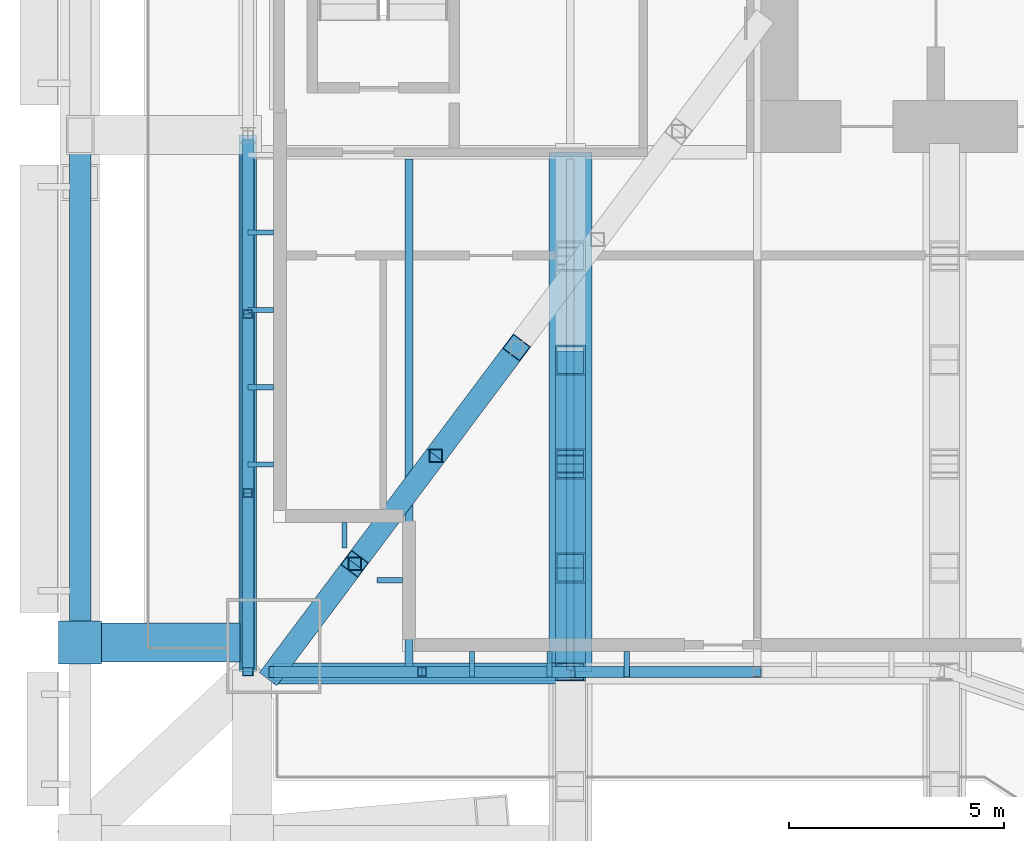
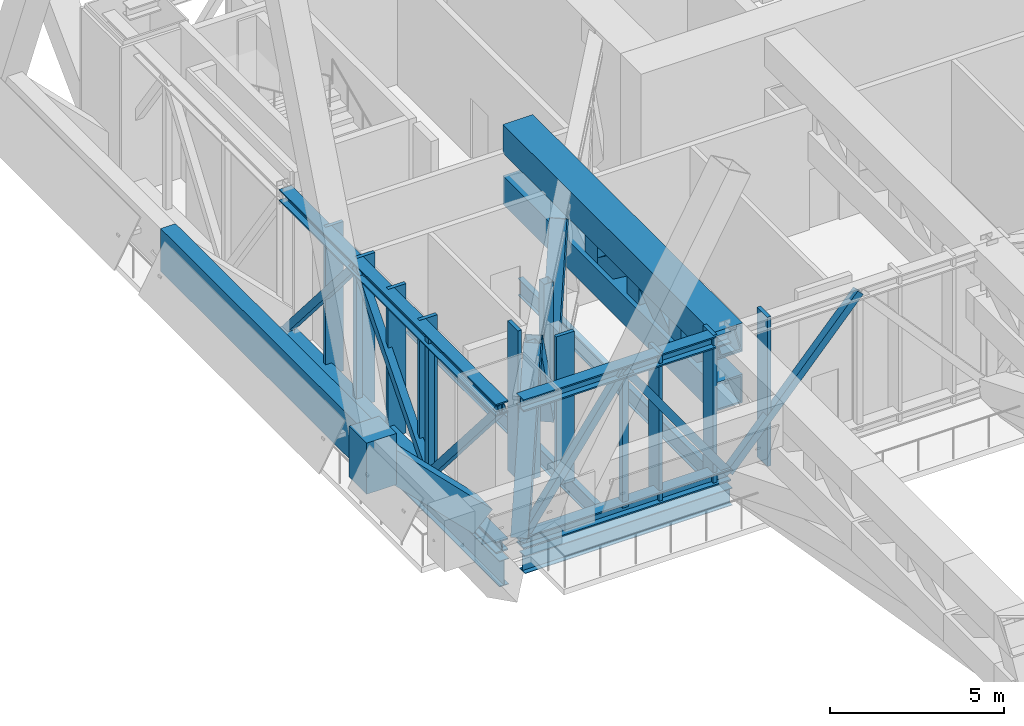
# One storey, part 7 of 30: 37 members, 5 beams, 1 element without a shape of its own.
"""IFC4 building model written with IfcOpenShell, lengths in metres."""

from ifc_helpers import new_model, si_unit, direction, frame, origin, origin_2d, place, context, subcontext, project, spatial, rectangle, hollow_rectangle, i_section, extrude, material, material_profile, profile_set, type_object, element, aggregate, save


model = new_model("IFC4")

# Units and contexts
model_context = context("Model", 3, precision=1e-05, world=origin(), true_north=direction((0.0, 1.0)))
body_context = subcontext(model_context, "Body", "Model", "MODEL_VIEW")
ifc_project = project(units=[si_unit("LENGTHUNIT", "METRE"), si_unit("AREAUNIT", "SQUARE_METRE"), si_unit("VOLUMEUNIT", "CUBIC_METRE"), si_unit("PLANEANGLEUNIT", "RADIAN"), si_unit("MASSUNIT", "GRAM", prefix="KILO")], contexts=[model_context])

# Site, building, storey
site_placement = place(None, origin())
site = spatial("IfcSite", under=ifc_project, at=site_placement, CompositionType="ELEMENT")
building_placement = place(site_placement, origin())
building = spatial("IfcBuilding", under=site, at=building_placement, Name="Bicima Exchange Tower", CompositionType="ELEMENT")
storey_placement = place(building_placement, frame((0.0, 0.0, 287.60009765625)))
storey = spatial("IfcBuildingStorey", under=building, at=storey_placement, Name="L65", CompositionType="ELEMENT", Elevation=287.60009765625)

# Curtain wall, members
ifc_material_1 = material(Name="Anodised bronze aluminium", Category="aluminium")
curtain_wall_type = type_object("IfcCurtainWallType", Name="Band blade screen", PredefinedType="NOTDEFINED", material=ifc_material_1)
curtain_wall_placement = place(storey_placement, origin())
curtain_wall = element("IfcCurtainWall", 1, at=curtain_wall_placement, inside=storey, type_object=curtain_wall_type, Name="Band blade screen L65", PredefinedType="NOTDEFINED")
ifc_material_profile_1 = material_profile(ifc_material_1, rectangle(XDim=0.60009765625, YDim=0.1201171875, at=origin_2d()))
ifc_profile_set_1 = profile_set([ifc_material_profile_1], Name="Anodised bronze aluminium")
member_type_1 = type_object("IfcMemberType", Name="Band blade fin 600 x 120", PredefinedType="USERDEFINED", material=ifc_profile_set_1)
member_1_placement = place(storey_placement, frame((-33.300048828125, -14.864013671875, 0.0), z_axis=(0.0, 0.0, 1.0), x_axis=(1.0, 0.0, 0.0)))
member_1 = element("IfcMember", 2, at=member_1_placement, type_object=member_type_1, Name="Band blade fin 11", ObjectType="FIN", PredefinedType="USERDEFINED", context=body_context, shape_type="SweptSolid", body=[
    extrude(rectangle(XDim=0.60009765625, YDim=0.1201171875, at=origin_2d()), origin(), (0.0, 0.0, 1.0), 5.25),
])
member_2_placement = place(storey_placement, frame((-33.300048828125, -16.6640625, 0.0), z_axis=(0.0, 0.0, 1.0), x_axis=(1.0, 0.0, 0.0)))
member_2 = element("IfcMember", 3, at=member_2_placement, type_object=member_type_1, Name="Band blade fin 12", ObjectType="FIN", PredefinedType="USERDEFINED", context=body_context, shape_type="SweptSolid", body=[
    extrude(rectangle(XDim=0.60009765625, YDim=0.1201171875, at=origin_2d()), origin(), (0.0, 0.0, 1.0), 5.25),
])
member_3_placement = place(storey_placement, frame((-33.300048828125, -18.464111328125, 0.0), z_axis=(0.0, 0.0, 1.0), x_axis=(1.0, 0.0, 0.0)))
member_3 = element("IfcMember", 4, at=member_3_placement, type_object=member_type_1, Name="Band blade fin 13", ObjectType="FIN", PredefinedType="USERDEFINED", context=body_context, shape_type="SweptSolid", body=[
    extrude(rectangle(XDim=0.60009765625, YDim=0.1201171875, at=origin_2d()), origin(), (0.0, 0.0, 1.0), 5.25),
])
member_4_placement = place(storey_placement, frame((-33.300048828125, -20.26416015625, 0.0), z_axis=(0.0, 0.0, 1.0), x_axis=(1.0, 0.0, 0.0)))
member_4 = element("IfcMember", 5, at=member_4_placement, type_object=member_type_1, Name="Band blade fin 14", ObjectType="FIN", PredefinedType="USERDEFINED", context=body_context, shape_type="SweptSolid", body=[
    extrude(rectangle(XDim=0.60009765625, YDim=0.1201171875, at=origin_2d()), origin(), (0.0, 0.0, 1.0), 5.25),
])
member_5_placement = place(storey_placement, frame((-31.35009765625, -21.904052734375, 0.0), z_axis=(0.0, 0.0, 1.0), x_axis=(0.0, 1.0, 0.0)))
member_5 = element("IfcMember", 6, at=member_5_placement, type_object=member_type_1, Name="Band blade fin 15", ObjectType="FIN", PredefinedType="USERDEFINED", context=body_context, shape_type="SweptSolid", body=[
    extrude(rectangle(XDim=0.60009765625, YDim=0.1201171875, at=origin_2d()), origin(), (0.0, 0.0, 1.0), 5.25),
])
member_6_placement = place(storey_placement, frame((-30.300048828125, -22.9541015625, 0.0), z_axis=(0.0, 0.0, 1.0), x_axis=(1.0, 0.0, 0.0)))
member_6 = element("IfcMember", 7, at=member_6_placement, type_object=member_type_1, Name="Band blade fin 16", ObjectType="FIN", PredefinedType="USERDEFINED", context=body_context, shape_type="SweptSolid", body=[
    extrude(rectangle(XDim=0.60009765625, YDim=0.1201171875, at=origin_2d()), origin(), (0.0, 0.0, 1.0), 5.25),
])
member_7_placement = place(storey_placement, frame((-28.38720703125, -24.904052734375, 0.0), z_axis=(0.0, 0.0, 1.0), x_axis=(0.0, 1.0, 0.0)))
member_7 = element("IfcMember", 8, at=member_7_placement, type_object=member_type_1, Name="Band blade fin 17", ObjectType="FIN", PredefinedType="USERDEFINED", context=body_context, shape_type="SweptSolid", body=[
    extrude(rectangle(XDim=0.60009765625, YDim=0.1201171875, at=origin_2d()), origin(), (0.0, 0.0, 1.0), 5.25),
])
member_8_placement = place(storey_placement, frame((-26.587158203125, -24.904052734375, 0.0), z_axis=(0.0, 0.0, 1.0), x_axis=(0.0, 1.0, 0.0)))
member_8 = element("IfcMember", 9, at=member_8_placement, type_object=member_type_1, Name="Band blade fin 18", ObjectType="FIN", PredefinedType="USERDEFINED", context=body_context, shape_type="SweptSolid", body=[
    extrude(rectangle(XDim=0.60009765625, YDim=0.1201171875, at=origin_2d()), origin(), (0.0, 0.0, 1.0), 5.25),
])
member_9_placement = place(storey_placement, frame((-24.787109375, -24.904052734375, 0.0), z_axis=(0.0, 0.0, 1.0), x_axis=(0.0, 1.0, 0.0)))
member_9 = element("IfcMember", 10, at=member_9_placement, type_object=member_type_1, Name="Band blade fin 19", ObjectType="FIN", PredefinedType="USERDEFINED", context=body_context, shape_type="SweptSolid", body=[
    extrude(rectangle(XDim=0.60009765625, YDim=0.1201171875, at=origin_2d()), origin(), (0.0, 0.0, 1.0), 5.25),
])
aggregate(curtain_wall, [member_1, member_2, member_3, member_4, member_5, member_6, member_7, member_8, member_9])

# Beam
ifc_material_2 = material(Name="Steel ASTM A572 Gr 50", Category="steel")
ifc_material_profile_2 = material_profile(ifc_material_2, hollow_rectangle(XDim=0.5, YDim=1.5, WallThickness=0.050048828125, at=origin_2d()))
ifc_profile_set_2 = profile_set([ifc_material_profile_2], Name="Steel ASTM A572 Gr 50")
beam_type_1 = type_object("IfcBeamType", Name="Belt girder BOX 500x1500x50", PredefinedType="BEAM", material=ifc_profile_set_2)
beam_1_placement = place(storey_placement, frame((-37.5, -12.60009765625, 4.5), z_axis=(0.0, -1.0, 0.0), x_axis=(1.0, 0.0, 0.0)))
element("IfcBeam", 11, at=beam_1_placement, inside=storey, type_object=beam_type_1, Name="Belt girder", PredefinedType="BEAM", context=body_context, shape_type="SweptSolid", body=[
    extrude(hollow_rectangle(XDim=0.5, YDim=1.5, WallThickness=0.050048828125, at=origin_2d()), origin(), (0.0, 0.0, 1.0), 11.800537109375),
])

# Members
ifc_material_3 = material(Name="Steel ASTM A992 Gr 50", Category="steel")
ifc_material_profile_3 = material_profile(ifc_material_3, i_section(OverallWidth=0.406494140625, OverallDepth=0.41650390625, WebThickness=0.030029296875, FlangeThickness=0.048095703125, at=origin_2d()))
ifc_profile_set_3 = profile_set([ifc_material_profile_3], Name="Steel ASTM A992 Gr 50")
member_type_2 = type_object("IfcMemberType", Name="Belt truss chord W14x257", PredefinedType="CHORD", material=ifc_profile_set_3)
for number, where, z_axis, x_axis, name in (
    (12, (-33.0, -25.08203125, 5.04150390625), (1.0, 0.0, 0.0), (0.0, 1.0, 0.0), "Top chord"),
    (13, (-33.0, -25.08203125, 0.208251953125), (1.0, 0.0, 0.0), (0.0, 1.0, 0.0), "Bottom chord"),
):
    element("IfcMember", number, at=place(storey_placement, frame(where, z_axis=z_axis, x_axis=x_axis)), inside=storey, type_object=member_type_2, Name=name, PredefinedType="CHORD", context=body_context, shape_type="SweptSolid", body=[
        extrude(i_section(OverallWidth=0.406494140625, OverallDepth=0.41650390625, WebThickness=0.030029296875, FlangeThickness=0.048095703125, at=origin_2d()), origin(), (0.0, 0.0, 1.0), 6.89990234375),
    ])
for number, where, z_axis, x_axis, name in (
    (14, (-33.60009765625, -12.60009765625, 5.04150390625), (0.0, -1.0, 0.0), (1.0, 0.0, 0.0), "Top chord"),
    (15, (-33.60009765625, -12.60009765625, 0.208251953125), (0.0, -1.0, 0.0), (1.0, 0.0, 0.0), "Bottom chord"),
):
    element("IfcMember", number, at=place(storey_placement, frame(where, z_axis=z_axis, x_axis=x_axis)), inside=storey, type_object=member_type_2, Name=name, PredefinedType="CHORD", context=body_context, shape_type="SweptSolid", body=[
        extrude(i_section(OverallWidth=0.406494140625, OverallDepth=0.41650390625, WebThickness=0.030029296875, FlangeThickness=0.048095703125, at=origin_2d()), origin(), (0.0, 0.0, 1.0), 12.48193359375),
    ])
ifc_material_profile_4 = material_profile(ifc_material_2, hollow_rectangle(XDim=0.25390625, YDim=0.25390625, WallThickness=0.01171875, at=origin_2d()))
ifc_profile_set_4 = profile_set([ifc_material_profile_4], Name="Steel ASTM A572 Gr 50")
member_type_3 = type_object("IfcMemberType", Name="Belt truss diagonal HSS10x10x1/2", PredefinedType="STRUT", material=ifc_profile_set_4)
for number, where, z_axis, x_axis, name in (
    (16, (-33.0, -25.08203125, 0.208251953125), (0.580973703743, 0.0, 0.813922327719), (0.0, 1.0, 0.0), "Truss diagonal"),
    (17, (-29.550048828125, -25.08203125, 5.04150390625), (0.580973703743, 0.0, -0.813922327719), (0.0, 1.0, 0.0), "Truss diagonal"),
):
    element("IfcMember", number, at=place(storey_placement, frame(where, z_axis=z_axis, x_axis=x_axis)), inside=storey, type_object=member_type_3, Name=name, PredefinedType="STRUT", context=body_context, shape_type="SweptSolid", body=[
        extrude(hollow_rectangle(XDim=0.25390625, YDim=0.25390625, WallThickness=0.01171875, at=origin_2d()), origin(), (0.0, 0.0, 1.0), 5.938232421875),
    ])
member_10_placement = place(storey_placement, frame((-26.10009765625, -25.08203125, 0.208251953125), z_axis=(0.668979251714, 0.0, 0.743281077908), x_axis=(0.0, 1.0, 0.0)))
element("IfcMember", 18, at=member_10_placement, inside=storey, type_object=member_type_3, Name="Truss diagonal", PredefinedType="STRUT", context=body_context, shape_type="SweptSolid", body=[
    extrude(hollow_rectangle(XDim=0.25390625, YDim=0.25390625, WallThickness=0.01171875, at=origin_2d()), origin(), (0.0, 0.0, 1.0), 6.502685546875),
])
for number, where, z_axis, x_axis, name in (
    (19, (-33.60009765625, -12.60009765625, 0.208251953125), (0.0, -0.652404057498, 0.757871325331), (1.0, 0.0, 0.0), "Truss diagonal"),
    (20, (-33.60009765625, -16.7607421875, 5.04150390625), (0.0, -0.652404057498, -0.757871325331), (1.0, 0.0, 0.0), "Truss diagonal"),
    (21, (-33.60009765625, -20.92138671875, 0.208251953125), (0.0, -0.652404057498, 0.757871325331), (1.0, 0.0, 0.0), "Truss diagonal"),
):
    element("IfcMember", number, at=place(storey_placement, frame(where, z_axis=z_axis, x_axis=x_axis)), inside=storey, type_object=member_type_3, Name=name, PredefinedType="STRUT", context=body_context, shape_type="SweptSolid", body=[
        extrude(hollow_rectangle(XDim=0.25390625, YDim=0.25390625, WallThickness=0.01171875, at=origin_2d()), origin(), (0.0, 0.0, 1.0), 6.37744140625),
    ])
ifc_material_profile_5 = material_profile(ifc_material_2, hollow_rectangle(XDim=0.203125, YDim=0.203125, WallThickness=0.01171875, at=origin_2d()))
ifc_profile_set_5 = profile_set([ifc_material_profile_5], Name="Steel ASTM A572 Gr 50")
member_type_4 = type_object("IfcMemberType", Name="Belt truss post HSS8x8x1/2", PredefinedType="POST", material=ifc_profile_set_5)
for number, where, z_axis, x_axis, name in (
    (22, (-29.550048828125, -25.08203125, 0.208251953125), (0.0, 0.0, 1.0), (1.0, 0.0, 0.0), "Truss post"),
    (23, (-33.60009765625, -16.7607421875, 0.208251953125), (0.0, 0.0, 1.0), (1.0, 0.0, 0.0), "Truss post"),
    (24, (-33.60009765625, -20.92138671875, 0.208251953125), (0.0, 0.0, 1.0), (1.0, 0.0, 0.0), "Truss post"),
):
    element("IfcMember", number, at=place(storey_placement, frame(where, z_axis=z_axis, x_axis=x_axis)), inside=storey, type_object=member_type_4, Name=name, PredefinedType="POST", context=body_context, shape_type="SweptSolid", body=[
        extrude(hollow_rectangle(XDim=0.203125, YDim=0.203125, WallThickness=0.01171875, at=origin_2d()), origin(), (0.0, 0.0, 1.0), 4.833251953125),
    ])

# Beam
ifc_material_profile_6 = material_profile(ifc_material_3, i_section(OverallWidth=0.3046875, OverallDepth=0.911865234375, WebThickness=0.015869140625, FlangeThickness=0.02392578125, at=origin_2d()))
ifc_profile_set_6 = profile_set([ifc_material_profile_6], Name="Steel ASTM A992 Gr 50")
beam_type_2 = type_object("IfcBeamType", Name="End girder W36x150", PredefinedType="BEAM", material=ifc_profile_set_6)
beam_2_placement = place(storey_placement, frame((-33.60009765625, -12.60009765625, -0.656005859375), z_axis=(0.0, -1.0, 0.0), x_axis=(1.0, 0.0, 0.0)))
element("IfcBeam", 25, at=beam_2_placement, inside=storey, type_object=beam_type_2, Name="End girder", PredefinedType="BEAM", context=body_context, shape_type="SweptSolid", body=[
    extrude(i_section(OverallWidth=0.3046875, OverallDepth=0.911865234375, WebThickness=0.015869140625, FlangeThickness=0.02392578125, at=origin_2d()), origin(), (0.0, 0.0, 1.0), 12.60400390625),
])

# Members
ifc_material_4 = material(Name="Cast steel ASTM A216 Gr WCB", Category="steel")
ifc_material_profile_7 = material_profile(ifc_material_4, rectangle(XDim=1.0, YDim=1.0, at=origin_2d()))
ifc_profile_set_7 = profile_set([ifc_material_profile_7], Name="Cast steel ASTM A216 Gr WCB")
member_type_5 = type_object("IfcMemberType", Name="Exo node block", PredefinedType="POST", material=ifc_profile_set_7)
member_11_placement = place(storey_placement, frame((-37.5, -24.400634765625, 3.449951171875), z_axis=(0.0, 0.0, 1.0), x_axis=(1.0, 0.0, 0.0)))
element("IfcMember", 26, at=member_11_placement, inside=storey, type_object=member_type_5, Name="Exo node block", PredefinedType="POST", context=body_context, shape_type="SweptSolid", body=[
    extrude(rectangle(XDim=1.0, YDim=1.0, at=origin_2d()), origin(), (0.0, 0.0, 1.0), 1.800048828125),
])
ifc_material_profile_8 = material_profile(ifc_material_2, hollow_rectangle(XDim=0.89990234375, YDim=0.89990234375, WallThickness=0.050048828125, at=origin_2d()))
ifc_profile_set_8 = profile_set([ifc_material_profile_8], Name="Steel ASTM A572 Gr 50")
member_type_6 = type_object("IfcMemberType", Name="Exo outrigger stub BOX 900x900x50", PredefinedType="STRUT", material=ifc_profile_set_8)
member_12_placement = place(storey_placement, frame((-34.10009765625, -24.400634765625, 1.099853515625), z_axis=(-0.707081393635, 0.0, 0.707132167827), x_axis=(0.0, -1.0, 0.0)))
element("IfcMember", 27, at=member_12_placement, inside=storey, type_object=member_type_6, Name="Exo outrigger stub", PredefinedType="STRUT", context=body_context, shape_type="SweptSolid", body=[
    extrude(hollow_rectangle(XDim=0.89990234375, YDim=0.89990234375, WallThickness=0.050048828125, at=origin_2d()), origin(), (0.0, 0.0, 1.0), 4.808349609375),
])

# Beams
ifc_material_profile_9 = material_profile(ifc_material_3, i_section(OverallWidth=0.177978515625, OverallDepth=0.599365234375, WebThickness=0.010009765625, FlangeThickness=0.012939453125, at=origin_2d()))
ifc_profile_set_9 = profile_set([ifc_material_profile_9], Name="Steel ASTM A992 Gr 50")
beam_type_3 = type_object("IfcBeamType", Name="Floor beam W24x55", PredefinedType="JOIST", material=ifc_profile_set_9)
for number, where, z_axis, x_axis, name in (
    (28, (-29.85009765625, -13.15234375, -0.499755859375), (0.0, -1.0, 0.0), (1.0, 0.0, 0.0), "Floor beam"),
    (29, (-26.10009765625, -13.15234375, -0.499755859375), (0.0, -1.0, 0.0), (1.0, 0.0, 0.0), "Floor beam"),
):
    element("IfcBeam", number, at=place(storey_placement, frame(where, z_axis=z_axis, x_axis=x_axis)), inside=storey, type_object=beam_type_3, Name=name, PredefinedType="JOIST", context=body_context, shape_type="SweptSolid", body=[
        extrude(i_section(OverallWidth=0.177978515625, OverallDepth=0.599365234375, WebThickness=0.010009765625, FlangeThickness=0.012939453125, at=origin_2d()), origin(), (0.0, 0.0, 1.0), 11.88916015625),
    ])
ifc_material_profile_10 = material_profile(ifc_material_3, i_section(OverallWidth=0.3251953125, OverallDepth=0.612060546875, WebThickness=0.0126953125, FlangeThickness=0.01904296875, at=origin_2d()))
ifc_profile_set_10 = profile_set([ifc_material_profile_10], Name="Steel ASTM A992 Gr 50")
beam_type_4 = type_object("IfcBeamType", Name="Front girder W24x104", PredefinedType="BEAM", material=ifc_profile_set_10)
beam_3_placement = place(storey_placement, frame((-33.0, -25.2041015625, -0.506103515625), z_axis=(1.0, 0.0, 0.0), x_axis=(0.0, 1.0, 0.0)))
element("IfcBeam", 30, at=beam_3_placement, inside=storey, type_object=beam_type_4, Name="Front girder", PredefinedType="BEAM", context=body_context, shape_type="SweptSolid", body=[
    extrude(i_section(OverallWidth=0.3251953125, OverallDepth=0.612060546875, WebThickness=0.0126953125, FlangeThickness=0.01904296875, at=origin_2d()), origin(), (0.0, 0.0, 1.0), 6.89990234375),
])

# Members
ifc_material_profile_11 = material_profile(ifc_material_2, hollow_rectangle(XDim=0.508056640625, YDim=0.508056640625, WallThickness=0.017822265625, at=origin_2d()))
ifc_profile_set_11 = profile_set([ifc_material_profile_11], Name="Steel ASTM A572 Gr 50")
member_type_7 = type_object("IfcMemberType", Name="Outrigger truss diagonal HSS20x20x3/4", PredefinedType="STRUT", material=ifc_profile_set_11)
for number, where, z_axis, x_axis, name in (
    (31, (-27.35009765625, -17.541015625, 4.96533203125), (-0.334093656655, -0.445920182644, -0.830383417039), (0.800298380594, -0.599601952982, 0.0), "Truss diagonal"),
    (32, (-29.2333984375, -20.0546875, 0.284423828125), (-0.334093656655, -0.445920182644, 0.830383417039), (0.800298380594, -0.599601952982, 0.0), "Truss diagonal"),
    (33, (-31.11669921875, -22.568359375, 4.96533203125), (-0.334093656655, -0.445920182644, -0.830383417039), (0.800298380594, -0.599601952982, 0.0), "Truss diagonal"),
):
    element("IfcMember", number, at=place(storey_placement, frame(where, z_axis=z_axis, x_axis=x_axis)), inside=storey, type_object=member_type_7, Name=name, PredefinedType="STRUT", context=body_context, shape_type="SweptSolid", body=[
        extrude(hollow_rectangle(XDim=0.508056640625, YDim=0.508056640625, WallThickness=0.017822265625, at=origin_2d()), origin(), (0.0, 0.0, 1.0), 5.636962890625),
    ])
ifc_material_profile_12 = material_profile(ifc_material_2, hollow_rectangle(XDim=0.3046875, YDim=0.3046875, WallThickness=0.01171875, at=origin_2d()))
ifc_profile_set_12 = profile_set([ifc_material_profile_12], Name="Steel ASTM A572 Gr 50")
member_type_8 = type_object("IfcMemberType", Name="Outrigger truss post HSS12x12x1/2", PredefinedType="POST", material=ifc_profile_set_12)
for number, where, z_axis, x_axis, name in (
    (34, (-29.2333984375, -20.0546875, 0.284423828125), (0.0, 0.0, 1.0), (1.0, 0.0, 0.0), "Truss post"),
    (35, (-31.11669921875, -22.568359375, 0.284423828125), (0.0, 0.0, 1.0), (1.0, 0.0, 0.0), "Truss post"),
):
    element("IfcMember", number, at=place(storey_placement, frame(where, z_axis=z_axis, x_axis=x_axis)), inside=storey, type_object=member_type_8, Name=name, PredefinedType="POST", context=body_context, shape_type="SweptSolid", body=[
        extrude(hollow_rectangle(XDim=0.3046875, YDim=0.3046875, WallThickness=0.01171875, at=origin_2d()), origin(), (0.0, 0.0, 1.0), 4.680908203125),
    ])
ifc_material_profile_13 = material_profile(ifc_material_2, hollow_rectangle(XDim=1.0, YDim=1.0, WallThickness=0.06005859375, at=origin_2d()))
ifc_profile_set_13 = profile_set([ifc_material_profile_13], Name="Steel ASTM A572 Gr 50")
member_type_9 = type_object("IfcMemberType", Name="Pool cantilever truss chord BOX 1000x1000x60", PredefinedType="CHORD", material=ifc_profile_set_13)
for number, where, z_axis, x_axis, name in (
    (36, (-26.10009765625, -13.0, 4.75), (0.0, -1.0, 0.0), (1.0, 0.0, 0.0), "Top chord"),
    (37, (-26.10009765625, -13.0, 2.949951171875), (0.0, -1.0, 0.0), (1.0, 0.0, 0.0), "Bottom chord"),
):
    element("IfcMember", number, at=place(storey_placement, frame(where, z_axis=z_axis, x_axis=x_axis)), inside=storey, type_object=member_type_9, Name=name, PredefinedType="CHORD", context=body_context, shape_type="SweptSolid", body=[
        extrude(hollow_rectangle(XDim=1.0, YDim=1.0, WallThickness=0.06005859375, at=origin_2d()), origin(), (0.0, 0.0, 1.0), 12.08203125),
    ])
ifc_material_profile_14 = material_profile(ifc_material_2, hollow_rectangle(XDim=0.699951171875, YDim=0.699951171875, WallThickness=0.0400390625, at=origin_2d()))
ifc_profile_set_14 = profile_set([ifc_material_profile_14], Name="Steel ASTM A572 Gr 50")
member_type_10 = type_object("IfcMemberType", Name="Pool cantilever truss diagonal BOX 700x700x40", PredefinedType="STRUT", material=ifc_profile_set_14)
member_13_placement = place(storey_placement, frame((-26.10009765625, -17.832763671875, 2.949951171875), z_axis=(0.0, -0.80195969711, 0.597378141725), x_axis=(1.0, 0.0, 0.0)))
element("IfcMember", 38, at=member_13_placement, inside=storey, type_object=member_type_10, Name="Truss diagonal", PredefinedType="STRUT", context=body_context, shape_type="SweptSolid", body=[
    extrude(hollow_rectangle(XDim=0.699951171875, YDim=0.699951171875, WallThickness=0.0400390625, at=origin_2d()), origin(), (0.0, 0.0, 1.0), 3.01318359375),
])
member_14_placement = place(storey_placement, frame((-26.10009765625, -20.249267578125, 4.75), z_axis=(0.0, -0.801930780587, -0.597416959206), x_axis=(1.0, 0.0, 0.0)))
element("IfcMember", 39, at=member_14_placement, inside=storey, type_object=member_type_10, Name="Truss diagonal", PredefinedType="STRUT", context=body_context, shape_type="SweptSolid", body=[
    extrude(hollow_rectangle(XDim=0.699951171875, YDim=0.699951171875, WallThickness=0.0400390625, at=origin_2d()), origin(), (0.0, 0.0, 1.0), 3.012939453125),
])
member_15_placement = place(storey_placement, frame((-26.10009765625, -22.66552734375, 2.949951171875), z_axis=(0.0, -0.80195969711, 0.597378141725), x_axis=(1.0, 0.0, 0.0)))
element("IfcMember", 40, at=member_15_placement, inside=storey, type_object=member_type_10, Name="Truss diagonal", PredefinedType="STRUT", context=body_context, shape_type="SweptSolid", body=[
    extrude(hollow_rectangle(XDim=0.699951171875, YDim=0.699951171875, WallThickness=0.0400390625, at=origin_2d()), origin(), (0.0, 0.0, 1.0), 3.01318359375),
])
member_type_11 = type_object("IfcMemberType", Name="Pool cantilever truss post BOX 700x700x40", PredefinedType="POST", material=ifc_profile_set_14)
for number, where, z_axis, x_axis, name in (
    (41, (-26.10009765625, -17.832763671875, 2.949951171875), (0.0, 0.0, 1.0), (1.0, 0.0, 0.0), "Truss post"),
    (42, (-26.10009765625, -20.249267578125, 2.949951171875), (0.0, 0.0, 1.0), (1.0, 0.0, 0.0), "Truss post"),
    (43, (-26.10009765625, -22.66552734375, 2.949951171875), (0.0, 0.0, 1.0), (1.0, 0.0, 0.0), "Truss post"),
):
    element("IfcMember", number, at=place(storey_placement, frame(where, z_axis=z_axis, x_axis=x_axis)), inside=storey, type_object=member_type_11, Name=name, PredefinedType="POST", context=body_context, shape_type="SweptSolid", body=[
        extrude(hollow_rectangle(XDim=0.699951171875, YDim=0.699951171875, WallThickness=0.0400390625, at=origin_2d()), origin(), (0.0, 0.0, 1.0), 1.800048828125),
    ])

save(model, "model.ifc")
